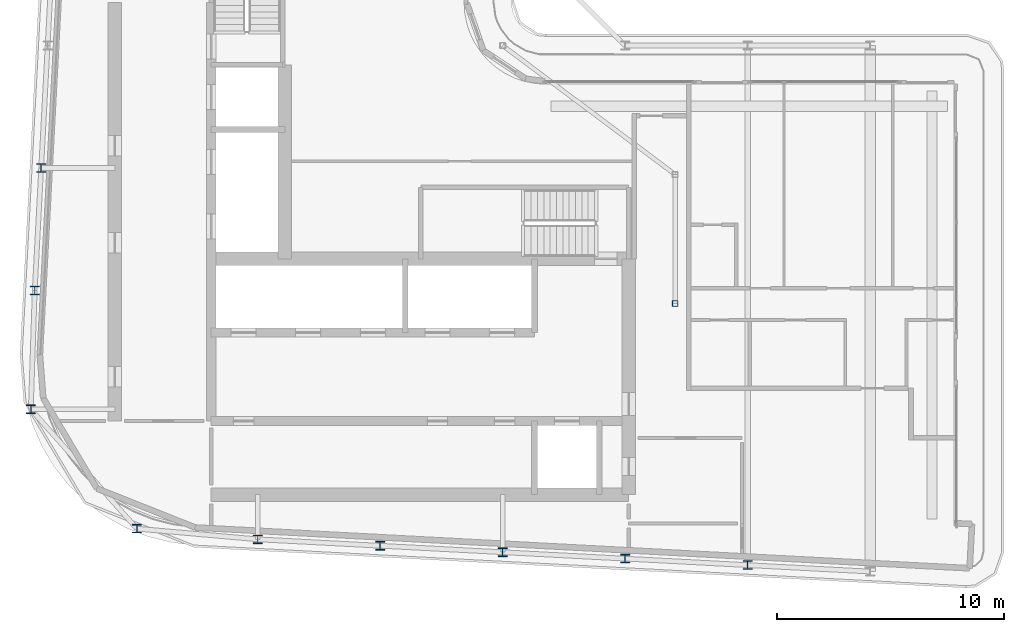
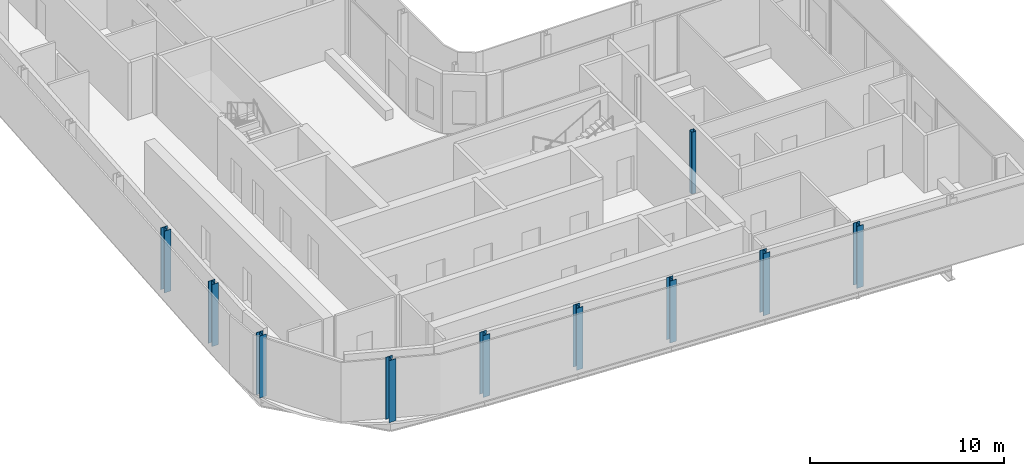
# One storey, part 1 of 21: 10 columns.
"""IFC4 building model written with IfcOpenShell, lengths in metres."""

from ifc_helpers import new_model, si_unit, direction, frame, origin, origin_2d, place, context, subcontext, project, spatial, hollow_rectangle, i_section, extrude, material, material_profile, profile_set, type_object, element, save


model = new_model("IFC4")

# Units and contexts
model_context = context("Model", 3, precision=1e-05, world=origin(), true_north=direction((0.0, 1.0)))
body_context = subcontext(model_context, "Body", "Model", "MODEL_VIEW")
ifc_project = project(units=[si_unit("LENGTHUNIT", "METRE"), si_unit("AREAUNIT", "SQUARE_METRE"), si_unit("VOLUMEUNIT", "CUBIC_METRE"), si_unit("PLANEANGLEUNIT", "RADIAN"), si_unit("MASSUNIT", "GRAM", prefix="KILO")], contexts=[model_context])

# Site, building, storey
site_placement = place(None, origin())
site = spatial("IfcSite", under=ifc_project, at=site_placement, CompositionType="ELEMENT")
building_placement = place(site_placement, origin())
building = spatial("IfcBuilding", under=site, at=building_placement, Name="Kheshtan School and Residences Tower", CompositionType="ELEMENT")
storey_placement = place(building_placement, frame((0.0, 0.0, 317.60009765625)))
storey = spatial("IfcBuildingStorey", under=building, at=storey_placement, Name="L75", CompositionType="ELEMENT", Elevation=317.60009765625)

# Columns
ifc_material_1 = material(Name="Steel ASTM A992 Grade 50", Category="steel")
ifc_material_profile_1 = material_profile(ifc_material_1, i_section(OverallWidth=0.39501953125, OverallDepth=0.3798828125, WebThickness=0.018798828125, FlangeThickness=0.0302734375, FilletRadius=0.011474609375, at=origin_2d()), Name="W360x237")
ifc_profile_set_1 = profile_set([ifc_material_profile_1], Name="Steel ASTM A992 Grade 50")
column_type_1 = type_object("IfcColumnType", Name="Column C5 W360x237 ASTM A992 Grade 50", PredefinedType="COLUMN", material=ifc_profile_set_1)
for number, where, z_axis, x_axis, name in (
    (1, (58.39990234375, 22.695068359375, 0.0), (0.0, 0.0, 1.0), (1.0, 0.0, 0.0), "Column C018"),
    (2, (53.0, 22.97998046875, 0.0), (0.0, 0.0, 1.0), (1.0, 0.0, 0.0), "Column C019"),
    (3, (47.60009765625, 23.263916015625, 0.0), (0.0, 0.0, 1.0), (1.0, 0.0, 0.0), "Column C020"),
    (4, (42.199951171875, 23.548095703125, 0.0), (0.0, 0.0, 1.0), (1.0, 0.0, 0.0), "Column C021"),
    (5, (36.800048828125, 23.83203125, 0.0), (0.0, 0.0, 1.0), (1.0, 0.0, 0.0), "Column C022"),
    (6, (31.47412109375, 24.302001953125, 0.0), (0.0, 0.0, 1.0), (1.0, 0.0, 0.0), "Column C031"),
    (7, (26.797119140625, 29.56591796875, 0.0), (0.0, 0.0, 1.0), (1.0, 0.0, 0.0), "Column C044"),
    (8, (26.968994140625, 34.800048828125, 0.0), (0.0, 0.0, 1.0), (1.0, 0.0, 0.0), "Column C052"),
    (9, (27.2529296875, 40.199951171875, 0.0), (0.0, 0.0, 1.0), (1.0, 0.0, 0.0), "Column C056"),
):
    element("IfcColumn", number, at=place(storey_placement, frame(where, z_axis=z_axis, x_axis=x_axis)), inside=storey, type_object=column_type_1, Name=name, PredefinedType="COLUMN", context=body_context, shape_type="SweptSolid", body=[
        extrude(i_section(OverallWidth=0.39501953125, OverallDepth=0.3798828125, WebThickness=0.018798828125, FlangeThickness=0.0302734375, FilletRadius=0.011474609375, at=origin_2d()), origin(), (0.0, 0.0, 1.0), 3.89990234375),
    ])
ifc_material_2 = material(Name="Steel ASTM A500 Grade C", Category="steel")
ifc_material_profile_2 = material_profile(ifc_material_2, hollow_rectangle(XDim=0.25390625, YDim=0.25390625, WallThickness=0.0126953125, InnerFilletRadius=0.0126953125, OuterFilletRadius=0.025390625, at=origin_2d()), Name="HSS 254x254x12.7")
ifc_profile_set_2 = profile_set([ifc_material_profile_2], Name="Steel ASTM A500 Grade C")
column_type_2 = type_object("IfcColumnType", Name="Column IC3 HSS 254x254x12.7 ASTM A500 Grade C", PredefinedType="COLUMN", material=ifc_profile_set_2)
column_placement = place(storey_placement, frame((55.199951171875, 34.23193359375, 0.0), z_axis=(0.0, 0.0, 1.0), x_axis=(1.0, 0.0, 0.0)))
element("IfcColumn", 10, at=column_placement, inside=storey, type_object=column_type_2, Name="Column C051", PredefinedType="COLUMN", context=body_context, shape_type="SweptSolid", body=[
    extrude(hollow_rectangle(XDim=0.25390625, YDim=0.25390625, WallThickness=0.0126953125, InnerFilletRadius=0.0126953125, OuterFilletRadius=0.025390625, at=origin_2d()), origin(), (0.0, 0.0, 1.0), 3.89990234375),
])

save(model, "model.ifc")
